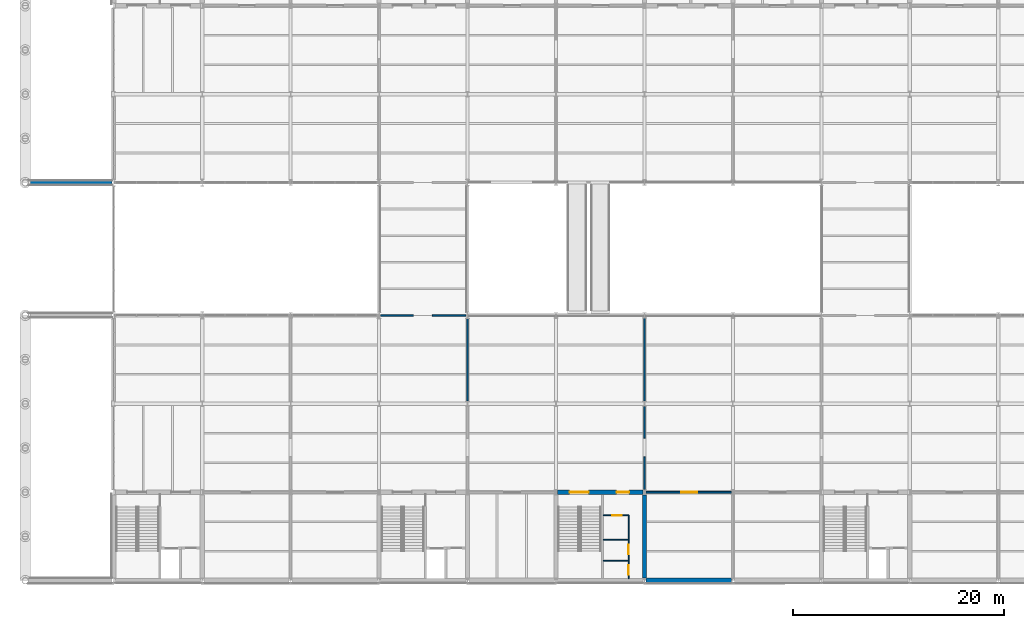
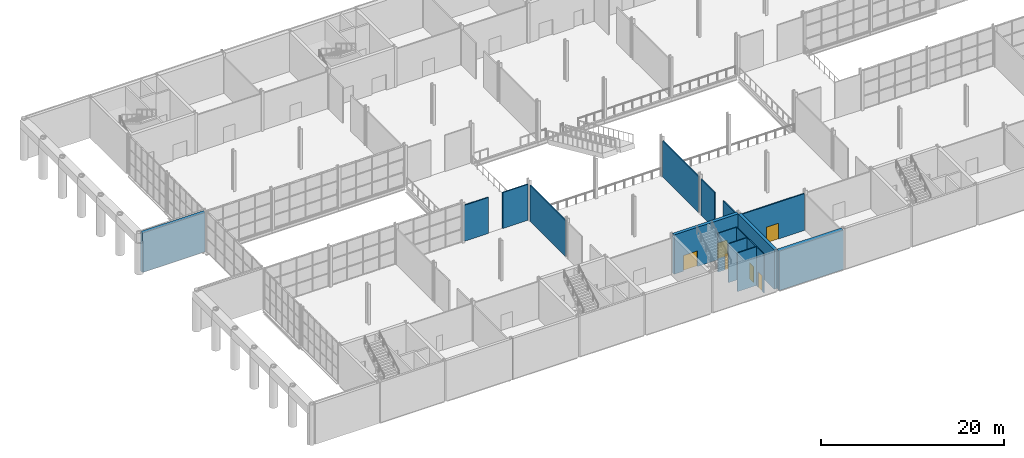
# One storey, part 40 of 64: 17 walls, 6 doors, 6 openings.
"""IFC4 building model written with IfcOpenShell, lengths in metres."""

import ifcopenshell
import ifcopenshell.guid

model = None  # the IFC model being written
_history = None  # IfcOwnerHistory: only IFC2X3 demands one
_inside = {}  # id of a spatial element -> (the spatial element, [elements in it])
_under = {}  # id of a project, library or spatial element -> (it, [spatial elements below it])
_declared = {}  # id of a project -> (the project, [libraries it declares])
_typed = {}  # id of a type object -> (the type object, [elements of that type])
_made_of = {}  # id of a material, layer set ... -> (it, [elements and type objects made of it])


def new_model(schema):
    """Start an empty IFC model of exactly this schema.

    Asked for "IFC4X3", IfcOpenShell would pick the latest addendum, in which some entities
    have other attributes; the version numbers below select the first issue.
    IFC2X3 requires an IfcOwnerHistory on every rooted entity: one is made here for all.
    """
    global model, _history
    if schema == "IFC4X3":
        model = ifcopenshell.file(schema_version=(4, 3, 0, 0))
    else:
        model = ifcopenshell.file(schema=schema)
    _inside.clear()
    _under.clear()
    _declared.clear()
    _typed.clear()
    _made_of.clear()
    _history = None
    if model.schema == "IFC2X3":
        org = make("IfcOrganization", Name="unknown")
        user = make(
            "IfcPersonAndOrganization",
            ThePerson=make("IfcPerson", FamilyName="unknown"),
            TheOrganization=org,
        )
        app = make(
            "IfcApplication",
            ApplicationDeveloper=org,
            Version="unknown",
            ApplicationFullName="unknown",
            ApplicationIdentifier="unknown",
        )
        _history = make(
            "IfcOwnerHistory",
            OwningUser=user,
            OwningApplication=app,
            ChangeAction="ADDED",
            CreationDate=0,
        )
    return model


def make(cls, **values):
    """One entity of the class cls with the attributes given. An attribute that is None is left unset."""
    return model.create_entity(
        cls, **{name: value for name, value in values.items() if value is not None}
    )


def rooted(cls, **values):
    """An entity with a GlobalId (a new one), such as an element, a storey or a relation."""
    return make(cls, GlobalId=ifcopenshell.guid.new(), OwnerHistory=_history, **values)


def si_unit(unit_type, name, prefix=None):
    """IfcSIUnit, for example si_unit("LENGTHUNIT", "METRE", prefix="MILLI")."""
    return make("IfcSIUnit", UnitType=unit_type, Prefix=prefix, Name=name)


def assignment(units):
    """IfcUnitAssignment: the units of a project."""
    return None if units is None else make("IfcUnitAssignment", Units=units)


def point(xyz):
    """IfcCartesianPoint."""
    return None if xyz is None else make("IfcCartesianPoint", Coordinates=xyz)


def direction(xyz):
    """IfcDirection."""
    return None if xyz is None else make("IfcDirection", DirectionRatios=xyz)


def frame(location, z_axis=None, x_axis=None):
    """IfcAxis2Placement3D, a coordinate frame: its origin and axes. An axis left out is left unset."""
    return make(
        "IfcAxis2Placement3D",
        Location=point(location),
        Axis=direction(z_axis),
        RefDirection=direction(x_axis),
    )


def frame_2d(location, x_axis=None):
    """IfcAxis2Placement2D, a coordinate frame in the plane: its origin and x axis."""
    return make(
        "IfcAxis2Placement2D", Location=point(location), RefDirection=direction(x_axis)
    )


def origin():
    """The frame at (0, 0, 0) with its axes left unset."""
    return frame((0.0, 0.0, 0.0))


def place(relative_to, where):
    """IfcLocalPlacement: puts the frame where relative to a parent placement (None: the world)."""
    return make(
        "IfcLocalPlacement", PlacementRelTo=relative_to, RelativePlacement=where
    )


def context(
    kind, dimensions, precision=None, world=None, true_north=None, identifier=None
):
    """IfcGeometricRepresentationContext, for example the 3D "Model" context."""
    return make(
        "IfcGeometricRepresentationContext",
        ContextIdentifier=identifier,
        ContextType=kind,
        CoordinateSpaceDimension=dimensions,
        Precision=precision,
        WorldCoordinateSystem=world,
        TrueNorth=true_north,
    )


def subcontext(parent, identifier, kind, view, scale=None):
    """IfcGeometricRepresentationSubContext, for example "Body" below "Model"."""
    return make(
        "IfcGeometricRepresentationSubContext",
        ContextIdentifier=identifier,
        ContextType=kind,
        ParentContext=parent,
        TargetScale=scale,
        TargetView=view,
    )


def project(units=None, contexts=None):
    """IfcProject with its units and contexts."""
    return rooted(
        "IfcProject",
        Name="project",
        RepresentationContexts=contexts,
        UnitsInContext=assignment(units),
    )


def spatial(cls, under=None, at=None, **own):
    """A site, building, storey or space (cls), placed at a placement, below another one or the project."""
    s = rooted(cls, ObjectPlacement=at, **own)
    if under is not None:
        _under.setdefault(under.id(), (under, []))[1].append(s)
    return s


def profile(cls, at=None, kind="AREA", **sizes):
    """A parametric profile (cls). Its sizes go by their IFC names, for example OverallWidth=200.0."""
    return make(cls, ProfileType=kind, Position=at, **sizes)


def rectangle(**sizes):
    """IfcRectangleProfileDef."""
    return profile("IfcRectangleProfileDef", **sizes)


def extrude(swept, where, along, depth):
    """IfcExtrudedAreaSolid: the profile swept, set in the frame where, extruded along a direction by depth."""
    return make(
        "IfcExtrudedAreaSolid",
        SweptArea=swept,
        Position=where,
        ExtrudedDirection=direction(along),
        Depth=depth,
    )


def shape(context_of_items, identifier, shape_type, items):
    """IfcShapeRepresentation: the items that make up one representation, for example the "Body"."""
    return make(
        "IfcShapeRepresentation",
        ContextOfItems=context_of_items,
        RepresentationIdentifier=identifier,
        RepresentationType=shape_type,
        Items=items,
    )


def material(Name=None, Category=None):
    """IfcMaterial."""
    return make("IfcMaterial", Name=Name, Category=Category)


def layer(
    of_material, thickness, ventilated=None, Name=None, Category=None, Priority=None
):
    """IfcMaterialLayer: one layer of a wall or slab, of a material (None: an air gap)."""
    return make(
        "IfcMaterialLayer",
        Material=of_material,
        LayerThickness=thickness,
        IsVentilated=ventilated,
        Name=Name,
        Category=Category,
        Priority=Priority,
    )


def layer_set(layers, Name=None):
    """IfcMaterialLayerSet."""
    return make("IfcMaterialLayerSet", MaterialLayers=layers, LayerSetName=Name)


def made_of(thing, what):
    """Note that an element or type object is made of a material, layer set ...; save() writes the relation."""
    if what is not None:
        _made_of.setdefault(what.id(), (what, []))[1].append(thing)
    return thing


def type_object(cls, material=None, **own):
    """A type object (cls), such as IfcWallType, which elements share."""
    return made_of(rooted(cls, **own), material)


def element(
    cls,
    number,
    at=None,
    inside=None,
    cuts=None,
    type_object=None,
    material=None,
    context=None,
    identifier="Body",
    shape_type=None,
    held_by="IfcProductDefinitionShape",
    body=None,
    shapes=None,
    **own,
):
    """One element of the class cls, such as IfcWall. Its Tag is "e" and its number.

    at: its placement. inside: the storey or other place that contains it. cuts: it is an
    opening in that element (IfcRelVoidsElement). A single representation is given by context,
    identifier, shape_type and body (its items); several are given by shapes. held_by: the class
    of the entity that holds the representations. save() writes the other relations.
    """
    e = rooted(cls, Tag="e%d" % number, ObjectPlacement=at, **own)
    if body is not None:
        shapes = [shape(context, identifier, shape_type, body)]
    if shapes is not None:
        e.Representation = make(held_by, Representations=shapes)
    if inside is not None:
        _inside.setdefault(inside.id(), (inside, []))[1].append(e)
    if cuts is not None:
        rooted(
            "IfcRelVoidsElement", RelatingBuildingElement=cuts, RelatedOpeningElement=e
        )
    if type_object is not None:
        _typed.setdefault(type_object.id(), (type_object, []))[1].append(e)
    return made_of(e, material)


def fill(opening, filler):
    """IfcRelFillsElement: the door or window that sits in an opening."""
    return rooted(
        "IfcRelFillsElement",
        RelatingOpeningElement=opening,
        RelatedBuildingElement=filler,
    )


def aggregate(whole, parts):
    """IfcRelAggregates: a whole, such as a stair, and the parts it consists of."""
    return rooted("IfcRelAggregates", RelatingObject=whole, RelatedObjects=parts)


def save(model, path):
    """Write the relations noted so far, then the file.

    IfcRelAggregates (storeys below a building ...), IfcRelContainedInSpatialStructure (elements
    in a storey), IfcRelDefinesByType, IfcRelAssociatesMaterial and IfcRelDeclares: one each for
    every whole, place, type object, material and project.
    """
    for whole, parts in _under.values():
        aggregate(whole, parts)
    for where, things in _inside.values():
        rooted(
            "IfcRelContainedInSpatialStructure",
            RelatedElements=things,
            RelatingStructure=where,
        )
    for kind, things in _typed.values():
        rooted("IfcRelDefinesByType", RelatedObjects=things, RelatingType=kind)
    for what, things in _made_of.values():
        rooted("IfcRelAssociatesMaterial", RelatedObjects=things, RelatingMaterial=what)
    for by, libraries in _declared.values():
        rooted("IfcRelDeclares", RelatingContext=by, RelatedDefinitions=libraries)
    model.write(path)


model = new_model("IFC4")

# Units and contexts
model_context = context("Model", 3, precision=1e-05, world=origin(), true_north=direction((0.0, 1.0)))
body_context = subcontext(model_context, "Body", "Model", "MODEL_VIEW")
ifc_project = project(units=[si_unit("LENGTHUNIT", "METRE"), si_unit("AREAUNIT", "SQUARE_METRE"), si_unit("VOLUMEUNIT", "CUBIC_METRE"), si_unit("PLANEANGLEUNIT", "RADIAN"), si_unit("MASSUNIT", "GRAM", prefix="KILO")], contexts=[model_context])

# Site, building, storey
site_placement = place(None, origin())
site = spatial("IfcSite", under=ifc_project, at=site_placement, CompositionType="ELEMENT")
building_placement = place(site_placement, origin())
building = spatial("IfcBuilding", under=site, at=building_placement, Name="Galleria Vessillo Department Store", CompositionType="ELEMENT")
storey_placement = place(building_placement, frame((0.0, 0.0, 6.0)))
storey = spatial("IfcBuildingStorey", under=building, at=storey_placement, Name="L01", CompositionType="ELEMENT", Elevation=6.0)

# Wall
ifc_material_1 = material(Name="Reinforced masonry, Ceppo di Gre units 80 MPa", Category="masonry")
ifc_layer_1 = layer(ifc_material_1, 0.39990234375)
ifc_layer_set_1 = layer_set([ifc_layer_1], Name="Reinforced masonry, Ceppo di Gre units 80 MPa")
wall_type_1 = type_object("IfcWallType", Name="Load-bearing Ceppo di Gre pier wall 400 mm", PredefinedType="STANDARD", material=ifc_layer_set_1)
wall_1_placement = place(storey_placement, frame((0.304931640625, 37.800048828125, 0.0), z_axis=(0.0, 0.0, 1.0), x_axis=(1.0, 0.0, 0.0)))
element("IfcWall", 1, at=wall_1_placement, inside=storey, type_object=wall_type_1, Name="Load-bearing Ceppo di Gre pier wall 400 mm PW-N-L01-01", PredefinedType="STANDARD", context=body_context, shape_type="SweptSolid", body=[
    extrude(rectangle(XDim=7.9423828125, YDim=0.39990234375, at=frame_2d((3.97119140625, 0.0))), origin(), (0.0, 0.0, 1.0), 5.25),
])

# Wall, openings, doors
ifc_material_2 = material(Name="Concrete C32/40 reinforced", Category="concrete")
ifc_layer_2 = layer(ifc_material_2, 0.39990234375)
ifc_layer_set_2 = layer_set([ifc_layer_2], Name="Concrete C32/40 reinforced")
wall_type_2 = type_object("IfcWallType", Name="Reinforced concrete core wall 400 mm", PredefinedType="SHEAR", material=ifc_layer_set_2)
wall_2_placement = place(storey_placement, frame((50.5498046875, 8.39990234375, 0.0), z_axis=(0.0, 0.0, 1.0), x_axis=(1.0, 0.0, 0.0)))
wall_2 = element("IfcWall", 2, at=wall_2_placement, inside=storey, type_object=wall_type_2, Name="S-CW-PC-SC-INTERIOR-L01", PredefinedType="SHEAR", context=body_context, shape_type="SweptSolid", body=[
    extrude(rectangle(XDim=8.100341796875, YDim=0.39990234375, at=frame_2d((4.05029296875, 0.0))), origin(), (0.0, 0.0, 1.0), 5.25),
])
opening_1_placement = place(wall_2_placement, frame((1.150146484375, 0.0, 0.0)))
opening_1 = element("IfcOpeningElement", 3, at=opening_1_placement, cuts=wall_2, Name="Opening D5194", PredefinedType="OPENING", context=body_context, shape_type="SweptSolid", body=[
    extrude(rectangle(XDim=1.800048828125, YDim=2.10009765625, at=frame_2d((0.89990234375, 1.050048828125))), frame((0.0, 0.2099609375, 0.0), z_axis=(0.0, -1.0, 0.0), x_axis=(1.0, 0.0, 0.0)), (0.0, 0.0, 1.0), 0.419921875),
])
opening_2_placement = place(wall_2_placement, frame((5.60009765625, 0.0, 0.0)))
opening_2 = element("IfcOpeningElement", 4, at=opening_2_placement, cuts=wall_2, Name="Opening D5195", PredefinedType="OPENING", context=body_context, shape_type="SweptSolid", body=[
    extrude(rectangle(XDim=1.199951171875, YDim=2.10009765625, at=frame_2d((0.60009765625, 1.050048828125))), frame((0.0, 0.2099609375, 0.0), z_axis=(0.0, -1.0, 0.0), x_axis=(1.0, 0.0, 0.0)), (0.0, 0.0, 1.0), 0.419921875),
])
ifc_material_3 = material(Name="Fire-rated steel door leaf", Category="steel")
door_type_1 = type_object("IfcDoorType", Name="Door D120F fire door 1200 x 2100", OperationType="SINGLE_SWING_LEFT", PredefinedType="DOOR", material=ifc_material_3)
door_1_placement = place(opening_2_placement, frame((1.199951171875, 0.0, 0.0), z_axis=(0.0, 0.0, 1.0), x_axis=(-1.0, 0.0, 0.0)))
door_1 = element("IfcDoor", 5, at=door_1_placement, inside=storey, type_object=door_type_1, Name="Lobby door PC-SC-WC-FLOOR L01", OperationType="SINGLE_SWING_LEFT", OverallHeight=2.10009765625, OverallWidth=1.199951171875, PredefinedType="DOOR", context=body_context, shape_type="SweptSolid", body=[
    extrude(rectangle(XDim=1.199951171875, YDim=2.10009765625, at=frame_2d((0.60009765625, 1.050048828125))), frame((0.0, 0.02490234375, 0.0), z_axis=(0.0, -1.0, 0.0), x_axis=(1.0, 0.0, 0.0)), (0.0, 0.0, 1.0), 0.050048828125),
])
fill(opening_2, door_1)
ifc_material_4 = material(Name="Fire-rated steel door leaf", Category="steel")
door_type_2 = type_object("IfcDoorType", Name="Door D180F double leaf 1800 x 2100", OperationType="DOUBLE_DOOR_SINGLE_SWING", PredefinedType="DOOR", material=ifc_material_4)
door_2_placement = place(opening_1_placement, frame((1.800048828125, 0.0, 0.0), z_axis=(0.0, 0.0, 1.0), x_axis=(-1.0, 0.0, 0.0)))
door_2 = element("IfcDoor", 6, at=door_2_placement, inside=storey, type_object=door_type_2, Name="Lobby door PC-SC-ST-FLOOR L01", OperationType="DOUBLE_DOOR_SINGLE_SWING", OverallHeight=2.10009765625, OverallWidth=1.800048828125, PredefinedType="DOOR", context=body_context, shape_type="SweptSolid", body=[
    extrude(rectangle(XDim=1.800048828125, YDim=2.10009765625, at=frame_2d((0.89990234375, 1.050048828125))), frame((0.0, 0.02490234375, 0.0), z_axis=(0.0, -1.0, 0.0), x_axis=(1.0, 0.0, 0.0)), (0.0, 0.0, 1.0), 0.050048828125),
])
fill(opening_1, door_2)

# Walls
wall_3_placement = place(storey_placement, frame((58.800048828125, 0.25, 0.0), z_axis=(0.0, 0.0, 1.0), x_axis=(0.0, 1.0, 0.0)))
element("IfcWall", 7, at=wall_3_placement, inside=storey, type_object=wall_type_2, Name="S-CW-PC-SC-EAST-L01", PredefinedType="SHEAR", context=body_context, shape_type="SweptSolid", body=[
    extrude(rectangle(XDim=7.89990234375, YDim=0.39990234375, at=frame_2d((3.949951171875, 0.0))), origin(), (0.0, 0.0, 1.0), 5.25),
])
ifc_material_5 = material(Name="Concrete C32/40 reinforced", Category="concrete")
ifc_layer_3 = layer(ifc_material_5, 0.5)
ifc_layer_set_3 = layer_set([ifc_layer_3], Name="Concrete C32/40 reinforced")
wall_type_3 = type_object("IfcWallType", Name="Reinforced concrete party wall 500 mm", PredefinedType="SHEAR", material=ifc_layer_set_3)
wall_4_placement = place(storey_placement, frame((58.949951171875, 0.0, 0.0), z_axis=(0.0, 0.0, 1.0), x_axis=(1.0, 0.0, 0.0)))
element("IfcWall", 8, at=wall_4_placement, inside=storey, type_object=wall_type_3, Name="S-PS-L01-05", PredefinedType="SHEAR", context=body_context, shape_type="SweptSolid", body=[
    extrude(rectangle(XDim=8.10009765625, YDim=0.5, at=frame_2d((4.050048828125, 0.0))), origin(), (0.0, 0.0, 1.0), 5.25),
])
ifc_material_6 = material(Name="Gypsum board partition")
ifc_layer_4 = layer(ifc_material_6, 0.139892578125)
ifc_layer_set_4 = layer_set([ifc_layer_4], Name="Gypsum board partition")
wall_type_4 = type_object("IfcWallType", Name="Sales dividing wall 140 mm", PredefinedType="PARTITIONING", material=ifc_layer_set_4)
wall_5_placement = place(storey_placement, frame((42.0, 17.050048828125, 0.0), z_axis=(0.0, 0.0, 1.0), x_axis=(0.0, 1.0, 0.0)))
element("IfcWall", 9, at=wall_5_placement, inside=storey, type_object=wall_type_4, Name="Partition wall PT3 on L01 no. 038", PredefinedType="PARTITIONING", context=body_context, shape_type="SweptSolid", body=[
    extrude(rectangle(XDim=7.83984375, YDim=0.139892578125, at=frame_2d((3.919921875, 0.0))), origin(), (0.0, 0.0, 1.0), 4.81005859375),
])
wall_6_placement = place(storey_placement, frame((33.752685546875, 25.199951171875, 0.0), z_axis=(0.0, 0.0, 1.0), x_axis=(1.0, 0.0, 0.0)))
element("IfcWall", 10, at=wall_6_placement, inside=storey, type_object=wall_type_4, Name="Partition wall PT3 on L01 no. 039", PredefinedType="PARTITIONING", context=body_context, shape_type="SweptSolid", body=[
    extrude(rectangle(XDim=3.099853515625, YDim=0.139892578125, at=frame_2d((1.5498046875, 0.0))), origin(), (0.0, 0.0, 1.0), 4.81005859375),
])
wall_7_placement = place(storey_placement, frame((38.652587890625, 25.199951171875, 0.0), z_axis=(0.0, 0.0, 1.0), x_axis=(1.0, 0.0, 0.0)))
element("IfcWall", 11, at=wall_7_placement, inside=storey, type_object=wall_type_4, Name="Partition wall PT3 on L01 no. 040", PredefinedType="PARTITIONING", context=body_context, shape_type="SweptSolid", body=[
    extrude(rectangle(XDim=3.19482421875, YDim=0.139892578125, at=frame_2d((1.597412109375, 0.0))), origin(), (0.0, 0.0, 1.0), 4.81005859375),
])
wall_8_placement = place(storey_placement, frame((58.800048828125, 8.64990234375, 0.0), z_axis=(0.0, 0.0, 1.0), x_axis=(0.0, 1.0, 0.0)))
element("IfcWall", 12, at=wall_8_placement, inside=storey, type_object=wall_type_4, Name="Partition wall PT3 on L01 no. 041", PredefinedType="PARTITIONING", context=body_context, shape_type="SweptSolid", body=[
    extrude(rectangle(XDim=3.10009765625, YDim=0.139892578125, at=frame_2d((1.550048828125, 0.0))), origin(), (0.0, 0.0, 1.0), 4.81005859375),
])
wall_9_placement = place(storey_placement, frame((58.800048828125, 13.5498046875, 0.0), z_axis=(0.0, 0.0, 1.0), x_axis=(0.0, 1.0, 0.0)))
element("IfcWall", 13, at=wall_9_placement, inside=storey, type_object=wall_type_4, Name="Partition wall PT3 on L01 no. 042", PredefinedType="PARTITIONING", context=body_context, shape_type="SweptSolid", body=[
    extrude(rectangle(XDim=3.000244140625, YDim=0.139892578125, at=frame_2d((1.5, 0.0))), origin(), (0.0, 0.0, 1.0), 4.81005859375),
])
wall_10_placement = place(storey_placement, frame((58.800048828125, 17.050048828125, 0.0), z_axis=(0.0, 0.0, 1.0), x_axis=(0.0, 1.0, 0.0)))
element("IfcWall", 14, at=wall_10_placement, inside=storey, type_object=wall_type_4, Name="Partition wall PT3 on L01 no. 043", PredefinedType="PARTITIONING", context=body_context, shape_type="SweptSolid", body=[
    extrude(rectangle(XDim=7.887939453125, YDim=0.139892578125, at=frame_2d((3.94384765625, 0.0))), origin(), (0.0, 0.0, 1.0), 4.81005859375),
])

# Wall, opening, door
ifc_material_7 = material(Name="Concrete blockwork", Category="masonry")
ifc_layer_5 = layer(ifc_material_7, 0.14990234375)
ifc_layer_set_5 = layer_set([ifc_layer_5], Name="Concrete blockwork")
wall_type_5 = type_object("IfcWallType", Name="Stockroom blockwork wall 150 mm", PredefinedType="SOLIDWALL", material=ifc_layer_set_5)
wall_11_placement = place(storey_placement, frame((58.949951171875, 8.39990234375, 0.0), z_axis=(0.0, 0.0, 1.0), x_axis=(1.0, 0.0, 0.0)))
wall_11 = element("IfcWall", 15, at=wall_11_placement, inside=storey, type_object=wall_type_5, Name="Partition wall PT4 on L01 no. 018", PredefinedType="SOLIDWALL", context=body_context, shape_type="SweptSolid", body=[
    extrude(rectangle(XDim=8.10009765625, YDim=0.14990234375, at=frame_2d((4.050048828125, 0.0))), origin(), (0.0, 0.0, 1.0), 4.919921875),
])
opening_3_placement = place(wall_11_placement, frame((3.35009765625, 0.0, 0.0)))
opening_3 = element("IfcOpeningElement", 16, at=opening_3_placement, cuts=wall_11, Name="Opening D2310", PredefinedType="OPENING", context=body_context, shape_type="SweptSolid", body=[
    extrude(rectangle(XDim=1.5, YDim=2.10009765625, at=frame_2d((0.75, 1.050048828125))), frame((0.0, 0.0849609375, 0.0), z_axis=(0.0, -1.0, 0.0), x_axis=(1.0, 0.0, 0.0)), (0.0, 0.0, 1.0), 0.169921875),
])
ifc_material_8 = material(Name="Steel fire door leaf", Category="steel")
door_type_3 = type_object("IfcDoorType", Name="Stockroom fire door 1500 double leaf", OperationType="DOUBLE_DOOR_SINGLE_SWING", PredefinedType="DOOR", material=ifc_material_8)
door_3_placement = place(opening_3_placement, frame((1.5, 0.0, 0.0), z_axis=(0.0, 0.0, 1.0), x_axis=(-1.0, 0.0, 0.0)))
door_3 = element("IfcDoor", 17, at=door_3_placement, inside=storey, type_object=door_type_3, Name="Door D2310", OperationType="DOUBLE_DOOR_SINGLE_SWING", OverallHeight=2.10009765625, OverallWidth=1.5, PredefinedType="DOOR", context=body_context, shape_type="SweptSolid", body=[
    extrude(rectangle(XDim=1.5, YDim=2.10009765625, at=frame_2d((0.75, 1.050048828125))), frame((0.0, 0.02490234375, 0.0), z_axis=(0.0, -1.0, 0.0), x_axis=(1.0, 0.0, 0.0)), (0.0, 0.0, 1.0), 0.050048828125),
])
fill(opening_3, door_3)

ifc_material_9 = material(Name="Moisture-resistant board partition")
ifc_layer_6 = layer(ifc_material_9, 0.10009765625)
ifc_layer_set_6 = layer_set([ifc_layer_6], Name="Moisture-resistant board partition")
wall_type_6 = type_object("IfcWallType", Name="WC and cubicle partition 100 mm", PredefinedType="PARTITIONING", material=ifc_layer_set_6)
wall_12_placement = place(storey_placement, frame((54.89990234375, 6.199951171875, 0.0), z_axis=(0.0, 0.0, 1.0), x_axis=(1.0, 0.0, 0.0)))
wall_12 = element("IfcWall", 18, at=wall_12_placement, inside=storey, type_object=wall_type_6, Name="Partition wall PT1 on L01 no. 001", PredefinedType="PARTITIONING", context=body_context, shape_type="SweptSolid", body=[
    extrude(rectangle(XDim=2.39990234375, YDim=0.10009765625, at=frame_2d((1.199951171875, 0.0))), origin(), (0.0, 0.0, 1.0), 5.179931640625),
])
opening_4_placement = place(wall_12_placement, frame((0.85009765625, 0.0, 0.0)))
opening_4 = element("IfcOpeningElement", 19, at=opening_4_placement, cuts=wall_12, Name="Opening D2301", PredefinedType="OPENING", context=body_context, shape_type="SweptSolid", body=[
    extrude(rectangle(XDim=0.89990234375, YDim=2.10009765625, at=frame_2d((0.449951171875, 1.050048828125))), frame((0.0, 0.06005859375, 0.0), z_axis=(0.0, -1.0, 0.0), x_axis=(1.0, 0.0, 0.0)), (0.0, 0.0, 1.0), 0.1201171875),
])
ifc_material_10 = material(Name="Timber and glass door leaf", Category="wood")
door_type_4 = type_object("IfcDoorType", Name="Floor door 900 single leaf", OperationType="SINGLE_SWING_LEFT", PredefinedType="DOOR", material=ifc_material_10)
door_4_placement = place(opening_4_placement, origin())
door_4 = element("IfcDoor", 20, at=door_4_placement, inside=storey, type_object=door_type_4, Name="Door D2301", OperationType="SINGLE_SWING_LEFT", OverallHeight=2.10009765625, OverallWidth=0.89990234375, PredefinedType="DOOR", context=body_context, shape_type="SweptSolid", body=[
    extrude(rectangle(XDim=0.89990234375, YDim=2.10009765625, at=frame_2d((0.449951171875, 1.050048828125))), frame((0.0, 0.02490234375, 0.0), z_axis=(0.0, -1.0, 0.0), x_axis=(1.0, 0.0, 0.0)), (0.0, 0.0, 1.0), 0.050048828125),
])
fill(opening_4, door_4)

# Wall
wall_13_placement = place(storey_placement, frame((57.2998046875, 3.89990234375, 0.0), z_axis=(0.0, 0.0, 1.0), x_axis=(0.0, 1.0, 0.0)))
element("IfcWall", 21, at=wall_13_placement, inside=storey, type_object=wall_type_6, Name="Partition wall PT1 on L01 no. 002", PredefinedType="PARTITIONING", context=body_context, shape_type="SweptSolid", body=[
    extrude(rectangle(XDim=2.300048828125, YDim=0.10009765625, at=frame_2d((1.14990234375, 0.0))), origin(), (0.0, 0.0, 1.0), 5.179931640625),
])

# Wall, opening, door
wall_14_placement = place(storey_placement, frame((57.2998046875, 1.89990234375, 0.0), z_axis=(0.0, 0.0, 1.0), x_axis=(0.0, 1.0, 0.0)))
wall_14 = element("IfcWall", 22, at=wall_14_placement, inside=storey, type_object=wall_type_6, Name="Partition wall PT1 on L01 no. 003", PredefinedType="PARTITIONING", context=body_context, shape_type="SweptSolid", body=[
    extrude(rectangle(XDim=2.0, YDim=0.10009765625, at=frame_2d((1.0, 0.0))), origin(), (0.0, 0.0, 1.0), 5.179931640625),
])
opening_5_placement = place(wall_14_placement, frame((0.60009765625, 0.0, 0.0)))
opening_5 = element("IfcOpeningElement", 23, at=opening_5_placement, cuts=wall_14, Name="Opening D2302", PredefinedType="OPENING", context=body_context, shape_type="SweptSolid", body=[
    extrude(rectangle(XDim=0.89990234375, YDim=2.10009765625, at=frame_2d((0.449951171875, 1.050048828125))), frame((0.0, 0.06005859375, 0.0), z_axis=(0.0, -1.0, 0.0), x_axis=(1.0, 0.0, 0.0)), (0.0, 0.0, 1.0), 0.1201171875),
])
door_5_placement = place(opening_5_placement, frame((0.89990234375, 0.0, 0.0), z_axis=(0.0, 0.0, 1.0), x_axis=(-1.0, 0.0, 0.0)))
door_5 = element("IfcDoor", 24, at=door_5_placement, inside=storey, type_object=door_type_4, Name="Door D2302", OperationType="SINGLE_SWING_RIGHT", OverallHeight=2.10009765625, OverallWidth=0.89990234375, PredefinedType="DOOR", context=body_context, shape_type="SweptSolid", body=[
    extrude(rectangle(XDim=0.89990234375, YDim=2.10009765625, at=frame_2d((0.449951171875, 1.050048828125))), frame((0.0, 0.02490234375, 0.0), z_axis=(0.0, -1.0, 0.0), x_axis=(1.0, 0.0, 0.0)), (0.0, 0.0, 1.0), 0.050048828125),
])
fill(opening_5, door_5)

wall_15_placement = place(storey_placement, frame((57.2998046875, 0.199951171875, 0.0), z_axis=(0.0, 0.0, 1.0), x_axis=(0.0, 1.0, 0.0)))
wall_15 = element("IfcWall", 25, at=wall_15_placement, inside=storey, type_object=wall_type_6, Name="Partition wall PT1 on L01 no. 004", PredefinedType="PARTITIONING", context=body_context, shape_type="SweptSolid", body=[
    extrude(rectangle(XDim=1.699951171875, YDim=0.10009765625, at=frame_2d((0.85009765625, 0.0))), origin(), (0.0, 0.0, 1.0), 5.179931640625),
])
opening_6_placement = place(wall_15_placement, frame((0.35009765625, 0.0, 0.0)))
opening_6 = element("IfcOpeningElement", 26, at=opening_6_placement, cuts=wall_15, Name="Opening D2303", PredefinedType="OPENING", context=body_context, shape_type="SweptSolid", body=[
    extrude(rectangle(XDim=0.89990234375, YDim=2.10009765625, at=frame_2d((0.449951171875, 1.050048828125))), frame((0.0, 0.06005859375, 0.0), z_axis=(0.0, -1.0, 0.0), x_axis=(1.0, 0.0, 0.0)), (0.0, 0.0, 1.0), 0.1201171875),
])
ifc_material_11 = material(Name="Timber and glass door leaf", Category="wood")
door_type_5 = type_object("IfcDoorType", Name="Accessible WC door 900 sliding", OperationType="SLIDING_TO_LEFT", PredefinedType="DOOR", material=ifc_material_11)
door_6_placement = place(opening_6_placement, origin())
door_6 = element("IfcDoor", 27, at=door_6_placement, inside=storey, type_object=door_type_5, Name="Door D2303", OperationType="SLIDING_TO_RIGHT", OverallHeight=2.10009765625, OverallWidth=0.89990234375, PredefinedType="DOOR", context=body_context, shape_type="SweptSolid", body=[
    extrude(rectangle(XDim=0.89990234375, YDim=2.10009765625, at=frame_2d((0.449951171875, 1.050048828125))), frame((0.0, 0.02490234375, 0.0), z_axis=(0.0, -1.0, 0.0), x_axis=(1.0, 0.0, 0.0)), (0.0, 0.0, 1.0), 0.050048828125),
])
fill(opening_6, door_6)

# Walls
for number, where, z_axis, x_axis, name in (
    (28, (54.89990234375, 3.89990234375, 0.0), (0.0, 0.0, 1.0), (1.0, 0.0, 0.0), "Partition wall PT1 on L01 no. 005"),
    (29, (54.89990234375, 1.89990234375, 0.0), (0.0, 0.0, 1.0), (1.0, 0.0, 0.0), "Partition wall PT1 on L01 no. 006"),
):
    element("IfcWall", number, at=place(storey_placement, frame(where, z_axis=z_axis, x_axis=x_axis)), inside=storey, type_object=wall_type_6, Name=name, PredefinedType="PARTITIONING", context=body_context, shape_type="SweptSolid", body=[
        extrude(rectangle(XDim=2.39990234375, YDim=0.10009765625, at=frame_2d((1.199951171875, 0.0))), origin(), (0.0, 0.0, 1.0), 5.179931640625),
    ])

save(model, "model.ifc")
